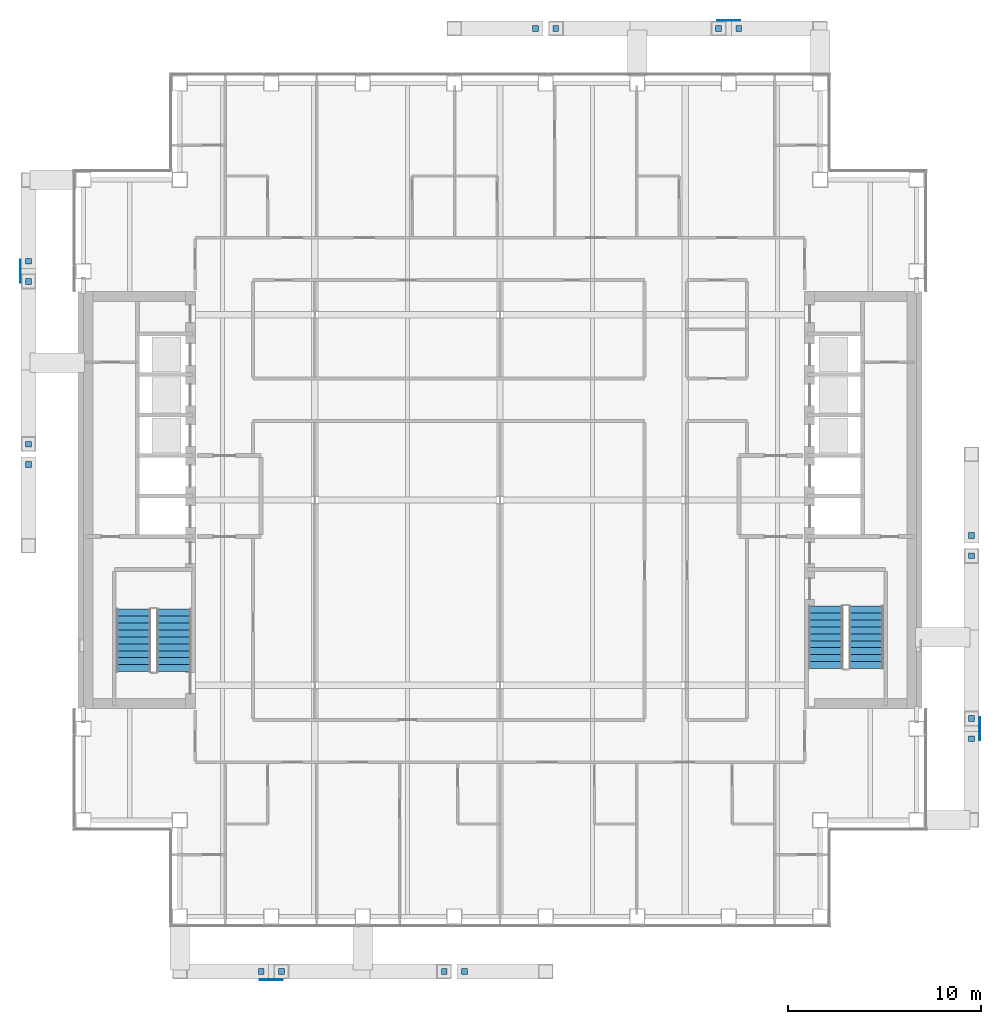
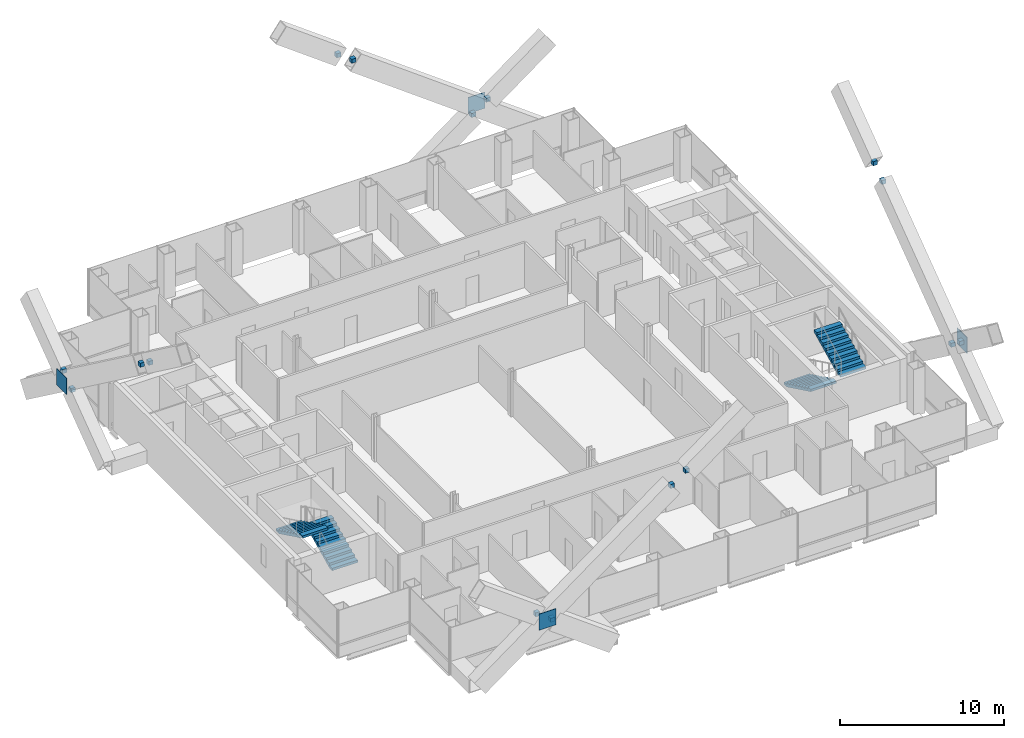
# One storey, part 14 of 16: 20 discrete accessories, 4 stair flights, 2 elements without a shape of their own.
"""IFC4 building model written with IfcOpenShell, lengths in metres."""

import ifcopenshell
import ifcopenshell.guid

model = None  # the IFC model being written
_history = None  # IfcOwnerHistory: only IFC2X3 demands one
_inside = {}  # id of a spatial element -> (the spatial element, [elements in it])
_under = {}  # id of a project, library or spatial element -> (it, [spatial elements below it])
_declared = {}  # id of a project -> (the project, [libraries it declares])
_typed = {}  # id of a type object -> (the type object, [elements of that type])
_made_of = {}  # id of a material, layer set ... -> (it, [elements and type objects made of it])


def new_model(schema):
    """Start an empty IFC model of exactly this schema.

    Asked for "IFC4X3", IfcOpenShell would pick the latest addendum, in which some entities
    have other attributes; the version numbers below select the first issue.
    IFC2X3 requires an IfcOwnerHistory on every rooted entity: one is made here for all.
    """
    global model, _history
    if schema == "IFC4X3":
        model = ifcopenshell.file(schema_version=(4, 3, 0, 0))
    else:
        model = ifcopenshell.file(schema=schema)
    _inside.clear()
    _under.clear()
    _declared.clear()
    _typed.clear()
    _made_of.clear()
    _history = None
    if model.schema == "IFC2X3":
        org = make("IfcOrganization", Name="unknown")
        user = make(
            "IfcPersonAndOrganization",
            ThePerson=make("IfcPerson", FamilyName="unknown"),
            TheOrganization=org,
        )
        app = make(
            "IfcApplication",
            ApplicationDeveloper=org,
            Version="unknown",
            ApplicationFullName="unknown",
            ApplicationIdentifier="unknown",
        )
        _history = make(
            "IfcOwnerHistory",
            OwningUser=user,
            OwningApplication=app,
            ChangeAction="ADDED",
            CreationDate=0,
        )
    return model


def make(cls, **values):
    """One entity of the class cls with the attributes given. An attribute that is None is left unset."""
    return model.create_entity(
        cls, **{name: value for name, value in values.items() if value is not None}
    )


def rooted(cls, **values):
    """An entity with a GlobalId (a new one), such as an element, a storey or a relation."""
    return make(cls, GlobalId=ifcopenshell.guid.new(), OwnerHistory=_history, **values)


def si_unit(unit_type, name, prefix=None):
    """IfcSIUnit, for example si_unit("LENGTHUNIT", "METRE", prefix="MILLI")."""
    return make("IfcSIUnit", UnitType=unit_type, Prefix=prefix, Name=name)


def assignment(units):
    """IfcUnitAssignment: the units of a project."""
    return None if units is None else make("IfcUnitAssignment", Units=units)


def point(xyz):
    """IfcCartesianPoint."""
    return None if xyz is None else make("IfcCartesianPoint", Coordinates=xyz)


def direction(xyz):
    """IfcDirection."""
    return None if xyz is None else make("IfcDirection", DirectionRatios=xyz)


def frame(location, z_axis=None, x_axis=None):
    """IfcAxis2Placement3D, a coordinate frame: its origin and axes. An axis left out is left unset."""
    return make(
        "IfcAxis2Placement3D",
        Location=point(location),
        Axis=direction(z_axis),
        RefDirection=direction(x_axis),
    )


def frame_2d(location, x_axis=None):
    """IfcAxis2Placement2D, a coordinate frame in the plane: its origin and x axis."""
    return make(
        "IfcAxis2Placement2D", Location=point(location), RefDirection=direction(x_axis)
    )


def origin():
    """The frame at (0, 0, 0) with its axes left unset."""
    return frame((0.0, 0.0, 0.0))


def origin_2d():
    """The frame at (0, 0) in the plane with its x axis left unset."""
    return frame_2d((0.0, 0.0))


def place(relative_to, where):
    """IfcLocalPlacement: puts the frame where relative to a parent placement (None: the world)."""
    return make(
        "IfcLocalPlacement", PlacementRelTo=relative_to, RelativePlacement=where
    )


def context(
    kind, dimensions, precision=None, world=None, true_north=None, identifier=None
):
    """IfcGeometricRepresentationContext, for example the 3D "Model" context."""
    return make(
        "IfcGeometricRepresentationContext",
        ContextIdentifier=identifier,
        ContextType=kind,
        CoordinateSpaceDimension=dimensions,
        Precision=precision,
        WorldCoordinateSystem=world,
        TrueNorth=true_north,
    )


def subcontext(parent, identifier, kind, view, scale=None):
    """IfcGeometricRepresentationSubContext, for example "Body" below "Model"."""
    return make(
        "IfcGeometricRepresentationSubContext",
        ContextIdentifier=identifier,
        ContextType=kind,
        ParentContext=parent,
        TargetScale=scale,
        TargetView=view,
    )


def project(units=None, contexts=None):
    """IfcProject with its units and contexts."""
    return rooted(
        "IfcProject",
        Name="project",
        RepresentationContexts=contexts,
        UnitsInContext=assignment(units),
    )


def spatial(cls, under=None, at=None, **own):
    """A site, building, storey or space (cls), placed at a placement, below another one or the project."""
    s = rooted(cls, ObjectPlacement=at, **own)
    if under is not None:
        _under.setdefault(under.id(), (under, []))[1].append(s)
    return s


def polyline(points):
    """IfcPolyline through the points."""
    return make("IfcPolyline", Points=[point(p) for p in points])


def profile(cls, at=None, kind="AREA", **sizes):
    """A parametric profile (cls). Its sizes go by their IFC names, for example OverallWidth=200.0."""
    return make(cls, ProfileType=kind, Position=at, **sizes)


def rectangle(**sizes):
    """IfcRectangleProfileDef."""
    return profile("IfcRectangleProfileDef", **sizes)


def outline(outer, holes=None, kind="AREA"):
    """IfcArbitraryClosedProfileDef: a profile drawn as a closed curve; with holes, ...WithVoids."""
    if holes is None:
        return make("IfcArbitraryClosedProfileDef", ProfileType=kind, OuterCurve=outer)
    return make(
        "IfcArbitraryProfileDefWithVoids",
        ProfileType=kind,
        OuterCurve=outer,
        InnerCurves=holes,
    )


def extrude(swept, where, along, depth):
    """IfcExtrudedAreaSolid: the profile swept, set in the frame where, extruded along a direction by depth."""
    return make(
        "IfcExtrudedAreaSolid",
        SweptArea=swept,
        Position=where,
        ExtrudedDirection=direction(along),
        Depth=depth,
    )


def shape(context_of_items, identifier, shape_type, items):
    """IfcShapeRepresentation: the items that make up one representation, for example the "Body"."""
    return make(
        "IfcShapeRepresentation",
        ContextOfItems=context_of_items,
        RepresentationIdentifier=identifier,
        RepresentationType=shape_type,
        Items=items,
    )


def material(Name=None, Category=None):
    """IfcMaterial."""
    return make("IfcMaterial", Name=Name, Category=Category)


def made_of(thing, what):
    """Note that an element or type object is made of a material, layer set ...; save() writes the relation."""
    if what is not None:
        _made_of.setdefault(what.id(), (what, []))[1].append(thing)
    return thing


def type_object(cls, material=None, **own):
    """A type object (cls), such as IfcWallType, which elements share."""
    return made_of(rooted(cls, **own), material)


def element(
    cls,
    number,
    at=None,
    inside=None,
    cuts=None,
    type_object=None,
    material=None,
    context=None,
    identifier="Body",
    shape_type=None,
    held_by="IfcProductDefinitionShape",
    body=None,
    shapes=None,
    **own,
):
    """One element of the class cls, such as IfcWall. Its Tag is "e" and its number.

    at: its placement. inside: the storey or other place that contains it. cuts: it is an
    opening in that element (IfcRelVoidsElement). A single representation is given by context,
    identifier, shape_type and body (its items); several are given by shapes. held_by: the class
    of the entity that holds the representations. save() writes the other relations.
    """
    e = rooted(cls, Tag="e%d" % number, ObjectPlacement=at, **own)
    if body is not None:
        shapes = [shape(context, identifier, shape_type, body)]
    if shapes is not None:
        e.Representation = make(held_by, Representations=shapes)
    if inside is not None:
        _inside.setdefault(inside.id(), (inside, []))[1].append(e)
    if cuts is not None:
        rooted(
            "IfcRelVoidsElement", RelatingBuildingElement=cuts, RelatedOpeningElement=e
        )
    if type_object is not None:
        _typed.setdefault(type_object.id(), (type_object, []))[1].append(e)
    return made_of(e, material)


def aggregate(whole, parts):
    """IfcRelAggregates: a whole, such as a stair, and the parts it consists of."""
    return rooted("IfcRelAggregates", RelatingObject=whole, RelatedObjects=parts)


def save(model, path):
    """Write the relations noted so far, then the file.

    IfcRelAggregates (storeys below a building ...), IfcRelContainedInSpatialStructure (elements
    in a storey), IfcRelDefinesByType, IfcRelAssociatesMaterial and IfcRelDeclares: one each for
    every whole, place, type object, material and project.
    """
    for whole, parts in _under.values():
        aggregate(whole, parts)
    for where, things in _inside.values():
        rooted(
            "IfcRelContainedInSpatialStructure",
            RelatedElements=things,
            RelatingStructure=where,
        )
    for kind, things in _typed.values():
        rooted("IfcRelDefinesByType", RelatedObjects=things, RelatingType=kind)
    for what, things in _made_of.values():
        rooted("IfcRelAssociatesMaterial", RelatedObjects=things, RelatingMaterial=what)
    for by, libraries in _declared.values():
        rooted("IfcRelDeclares", RelatingContext=by, RelatedDefinitions=libraries)
    model.write(path)


model = new_model("IFC4")

# Units and contexts
model_context = context("Model", 3, precision=1e-05, world=origin(), true_north=direction((0.0, 1.0)))
body_context = subcontext(model_context, "Body", "Model", "MODEL_VIEW")
ifc_project = project(units=[si_unit("LENGTHUNIT", "METRE"), si_unit("AREAUNIT", "SQUARE_METRE"), si_unit("VOLUMEUNIT", "CUBIC_METRE"), si_unit("PLANEANGLEUNIT", "RADIAN"), si_unit("MASSUNIT", "GRAM", prefix="KILO")], contexts=[model_context])

# Site, building, storey
site_placement = place(None, origin())
site = spatial("IfcSite", under=ifc_project, at=site_placement, CompositionType="ELEMENT")
building_placement = place(site_placement, origin())
building = spatial("IfcBuilding", under=site, at=building_placement, Name="Cobrizo Arcos Hotel Tower", CompositionType="ELEMENT")
storey_placement = place(building_placement, frame((0.0, 0.0, 172.5)))
storey = spatial("IfcBuildingStorey", under=building, at=storey_placement, Name="L44", CompositionType="ELEMENT", Elevation=172.5)

# Stair, stair flights
ifc_material_1 = material(Name="Concrete f'c 40 MPa", Category="concrete")
stair_type = type_object("IfcStairType", Name="Exit stair", PredefinedType="HALF_TURN_STAIR", material=ifc_material_1)
stair_1_placement = place(storey_placement, origin())
stair_1 = element("IfcStair", 1, at=stair_1_placement, inside=storey, type_object=stair_type, Name="L44 Exit stair ST-W", PredefinedType="HALF_TURN_STAIR")
stair_flight_type = type_object("IfcStairFlightType", Name="Exit stair flight", PredefinedType="STRAIGHT", material=ifc_material_1)
stair_flight_1_placement = place(storey_placement, frame((-16.89990234375, -8.89990234375, 0.0), z_axis=(0.0, 0.0, 1.0), x_axis=(0.0, 1.0, 0.0)))
stair_flight_1 = element("IfcStairFlight", 2, at=stair_flight_1_placement, type_object=stair_flight_type, Name="ST-W flight 1", NumberOfRisers=10, NumberOfTreads=9, PredefinedType="STRAIGHT", RiserHeight=0.175, TreadLength=0.36, context=body_context, shape_type="SweptSolid", body=[
    extrude(outline(polyline([(0.0, 0.0), (0.0, 0.175048828125), (0.360107421875, 0.175048828125), (0.360107421875, 0.35009765625), (0.719970703125, 0.35009765625), (0.719970703125, 0.52490234375), (1.080078125, 0.52490234375), (1.080078125, 0.699951171875), (1.43994140625, 0.699951171875), (1.43994140625, 0.875), (1.800048828125, 0.875), (1.800048828125, 1.050048828125), (2.159912109375, 1.050048828125), (2.159912109375, 1.22509765625), (2.52001953125, 1.22509765625), (2.52001953125, 1.39990234375), (2.8798828125, 1.39990234375), (2.8798828125, 1.574951171875), (3.239990234375, 1.574951171875), (3.239990234375, 1.75), (3.239990234375, 1.408203125), (0.3427734375, 0.0), (0.0, 0.0)])), frame((0.0, 0.89990234375, 0.0), z_axis=(0.0, -1.0, 0.0), x_axis=(1.0, 0.0, 0.0)), (0.0, 0.0, 1.0), 1.800048828125),
])
stair_flight_2_placement = place(storey_placement, frame((-19.0, -5.659912109375, 1.75), z_axis=(0.0, 0.0, 1.0), x_axis=(0.0, -1.0, 0.0)))
stair_flight_2 = element("IfcStairFlight", 3, at=stair_flight_2_placement, type_object=stair_flight_type, Name="ST-W flight 2", NumberOfRisers=10, NumberOfTreads=9, PredefinedType="STRAIGHT", RiserHeight=0.175, TreadLength=0.36, context=body_context, shape_type="SweptSolid", body=[
    extrude(outline(polyline([(0.0, 0.0), (0.0, 0.175048828125), (0.360107421875, 0.175048828125), (0.360107421875, 0.35009765625), (0.719970703125, 0.35009765625), (0.719970703125, 0.52490234375), (1.080078125, 0.52490234375), (1.080078125, 0.699951171875), (1.43994140625, 0.699951171875), (1.43994140625, 0.875), (1.800048828125, 0.875), (1.800048828125, 1.050048828125), (2.159912109375, 1.050048828125), (2.159912109375, 1.22509765625), (2.52001953125, 1.22509765625), (2.52001953125, 1.39990234375), (2.8798828125, 1.39990234375), (2.8798828125, 1.574951171875), (3.239990234375, 1.574951171875), (3.239990234375, 1.75), (3.239990234375, 1.408203125), (0.3427734375, 0.0), (0.0, 0.0)])), frame((0.0, 0.89990234375, 0.0), z_axis=(0.0, -1.0, 0.0), x_axis=(1.0, 0.0, 0.0)), (0.0, 0.0, 1.0), 1.800048828125),
])
aggregate(stair_1, [stair_flight_1, stair_flight_2])

stair_2_placement = place(storey_placement, origin())
stair_2 = element("IfcStair", 4, at=stair_2_placement, inside=storey, type_object=stair_type, Name="L44 Exit stair ST-E", PredefinedType="HALF_TURN_STAIR")
stair_flight_3_placement = place(storey_placement, frame((16.89990234375, -5.5, 0.0), z_axis=(0.0, 0.0, 1.0), x_axis=(0.0, -1.0, 0.0)))
stair_flight_3 = element("IfcStairFlight", 5, at=stair_flight_3_placement, type_object=stair_flight_type, Name="ST-E flight 1", NumberOfRisers=10, NumberOfTreads=9, PredefinedType="STRAIGHT", RiserHeight=0.175, TreadLength=0.36, context=body_context, shape_type="SweptSolid", body=[
    extrude(outline(polyline([(0.0, 0.0), (0.0, 0.175048828125), (0.360107421875, 0.175048828125), (0.360107421875, 0.35009765625), (0.719970703125, 0.35009765625), (0.719970703125, 0.52490234375), (1.080078125, 0.52490234375), (1.080078125, 0.699951171875), (1.43994140625, 0.699951171875), (1.43994140625, 0.875), (1.800048828125, 0.875), (1.800048828125, 1.050048828125), (2.159912109375, 1.050048828125), (2.159912109375, 1.22509765625), (2.52001953125, 1.22509765625), (2.52001953125, 1.39990234375), (2.8798828125, 1.39990234375), (2.8798828125, 1.574951171875), (3.239990234375, 1.574951171875), (3.239990234375, 1.75), (3.239990234375, 1.408203125), (0.3427734375, 0.0), (0.0, 0.0)])), frame((0.0, 0.89990234375, 0.0), z_axis=(0.0, -1.0, 0.0), x_axis=(1.0, 0.0, 0.0)), (0.0, 0.0, 1.0), 1.800048828125),
])
stair_flight_4_placement = place(storey_placement, frame((19.0, -8.739990234375, 1.75), z_axis=(0.0, 0.0, 1.0), x_axis=(0.0, 1.0, 0.0)))
stair_flight_4 = element("IfcStairFlight", 6, at=stair_flight_4_placement, type_object=stair_flight_type, Name="ST-E flight 2", NumberOfRisers=10, NumberOfTreads=9, PredefinedType="STRAIGHT", RiserHeight=0.175, TreadLength=0.36, context=body_context, shape_type="SweptSolid", body=[
    extrude(outline(polyline([(0.0, 0.0), (0.0, 0.175048828125), (0.360107421875, 0.175048828125), (0.360107421875, 0.35009765625), (0.719970703125, 0.35009765625), (0.719970703125, 0.52490234375), (1.080078125, 0.52490234375), (1.080078125, 0.699951171875), (1.43994140625, 0.699951171875), (1.43994140625, 0.875), (1.800048828125, 0.875), (1.800048828125, 1.050048828125), (2.159912109375, 1.050048828125), (2.159912109375, 1.22509765625), (2.52001953125, 1.22509765625), (2.52001953125, 1.39990234375), (2.8798828125, 1.39990234375), (2.8798828125, 1.574951171875), (3.239990234375, 1.574951171875), (3.239990234375, 1.75), (3.239990234375, 1.408203125), (0.3427734375, 0.0), (0.0, 0.0)])), frame((0.0, 0.89990234375, 0.0), z_axis=(0.0, -1.0, 0.0), x_axis=(1.0, 0.0, 0.0)), (0.0, 0.0, 1.0), 1.800048828125),
])
aggregate(stair_2, [stair_flight_3, stair_flight_4])

# Discrete accessories
ifc_material_2 = material(Name="Steel ASTM A572 Grade 50", Category="steel")
discrete_accessory_type_1 = type_object("IfcDiscreteAccessoryType", Name="GP-1 gusset plate 1200x1200x40", PredefinedType="BRACKET", material=ifc_material_2)
discrete_accessory_1_placement = place(storey_placement, frame((24.8701171875, -11.857177734375, 3.39990234375), z_axis=(0.0, 0.0, 1.0), x_axis=(1.0, 0.0, 0.0)))
element("IfcDiscreteAccessory", 7, at=discrete_accessory_1_placement, inside=storey, type_object=discrete_accessory_type_1, Name="Gusset plate br-Z3-E-14", PredefinedType="BRACKET", context=body_context, shape_type="SweptSolid", body=[
    extrude(rectangle(XDim=0.0400390625, YDim=1.199951171875, at=origin_2d()), origin(), (0.0, 0.0, 1.0), 1.199951171875),
])
for number, where, z_axis, x_axis, name in (
    (8, (11.857177734375, 24.8701171875, 3.39990234375), (0.0, 0.0, 1.0), (1.0, 0.0, 0.0), "Gusset plate br-Z3-N-14"),
    (9, (-11.857177734375, -24.8701171875, 3.39990234375), (0.0, 0.0, 1.0), (1.0, 0.0, 0.0), "Gusset plate br-Z3-S-14"),
):
    element("IfcDiscreteAccessory", number, at=place(storey_placement, frame(where, z_axis=z_axis, x_axis=x_axis)), inside=storey, type_object=discrete_accessory_type_1, Name=name, PredefinedType="BRACKET", context=body_context, shape_type="SweptSolid", body=[
        extrude(rectangle(XDim=1.199951171875, YDim=0.0400390625, at=origin_2d()), origin(), (0.0, 0.0, 1.0), 1.199951171875),
    ])
discrete_accessory_2_placement = place(storey_placement, frame((-24.8701171875, 11.857177734375, 3.39990234375), z_axis=(0.0, 0.0, 1.0), x_axis=(1.0, 0.0, 0.0)))
element("IfcDiscreteAccessory", 10, at=discrete_accessory_2_placement, inside=storey, type_object=discrete_accessory_type_1, Name="Gusset plate br-Z3-W-14", PredefinedType="BRACKET", context=body_context, shape_type="SweptSolid", body=[
    extrude(rectangle(XDim=0.0400390625, YDim=1.199951171875, at=origin_2d()), origin(), (0.0, 0.0, 1.0), 1.199951171875),
])
discrete_accessory_type_2 = type_object("IfcDiscreteAccessoryType", Name="GP-5 brace end plate 300x300x300", PredefinedType="BRACKET", material=ifc_material_2)
for number, where, z_axis, x_axis, name in (
    (11, (24.449951171875, -2.89453125, 10.4638671875), (0.0, 0.0, 1.0), (1.0, 0.0, 0.0), "Brace end plate"),
    (12, (24.449951171875, -1.84814453125, 11.23583984375), (0.0, 0.0, 1.0), (1.0, 0.0, 0.0), "Brace end plate"),
    (13, (24.449951171875, -11.333984375, 3.4638671875), (0.0, 0.0, 1.0), (1.0, 0.0, 0.0), "Brace end plate"),
    (14, (24.449951171875, -12.38037109375, 4.23583984375), (0.0, 0.0, 1.0), (1.0, 0.0, 0.0), "Brace end plate"),
    (15, (2.89453125, 24.449951171875, 10.4638671875), (0.0, 0.0, 1.0), (1.0, 0.0, 0.0), "Brace end plate"),
    (16, (1.84814453125, 24.449951171875, 11.23583984375), (0.0, 0.0, 1.0), (1.0, 0.0, 0.0), "Brace end plate"),
    (17, (11.333984375, 24.449951171875, 3.4638671875), (0.0, 0.0, 1.0), (1.0, 0.0, 0.0), "Brace end plate"),
    (18, (12.38037109375, 24.449951171875, 4.23583984375), (0.0, 0.0, 1.0), (1.0, 0.0, 0.0), "Brace end plate"),
    (19, (-2.89453125, -24.449951171875, 10.4638671875), (0.0, 0.0, 1.0), (1.0, 0.0, 0.0), "Brace end plate"),
    (20, (-1.84814453125, -24.449951171875, 11.23583984375), (0.0, 0.0, 1.0), (1.0, 0.0, 0.0), "Brace end plate"),
    (21, (-11.333984375, -24.449951171875, 3.4638671875), (0.0, 0.0, 1.0), (1.0, 0.0, 0.0), "Brace end plate"),
    (22, (-12.38037109375, -24.449951171875, 4.23583984375), (0.0, 0.0, 1.0), (1.0, 0.0, 0.0), "Brace end plate"),
    (23, (-24.449951171875, 2.89453125, 10.4638671875), (0.0, 0.0, 1.0), (1.0, 0.0, 0.0), "Brace end plate"),
    (24, (-24.449951171875, 1.84814453125, 11.23583984375), (0.0, 0.0, 1.0), (1.0, 0.0, 0.0), "Brace end plate"),
    (25, (-24.449951171875, 11.333984375, 3.4638671875), (0.0, 0.0, 1.0), (1.0, 0.0, 0.0), "Brace end plate"),
    (26, (-24.449951171875, 12.38037109375, 4.23583984375), (0.0, 0.0, 1.0), (1.0, 0.0, 0.0), "Brace end plate"),
):
    element("IfcDiscreteAccessory", number, at=place(storey_placement, frame(where, z_axis=z_axis, x_axis=x_axis)), inside=storey, type_object=discrete_accessory_type_2, Name=name, PredefinedType="BRACKET", context=body_context, shape_type="SweptSolid", body=[
        extrude(rectangle(XDim=0.300048828125, YDim=0.300048828125, at=origin_2d()), origin(), (0.0, 0.0, 1.0), 0.300048828125),
    ])

save(model, "model.ifc")
